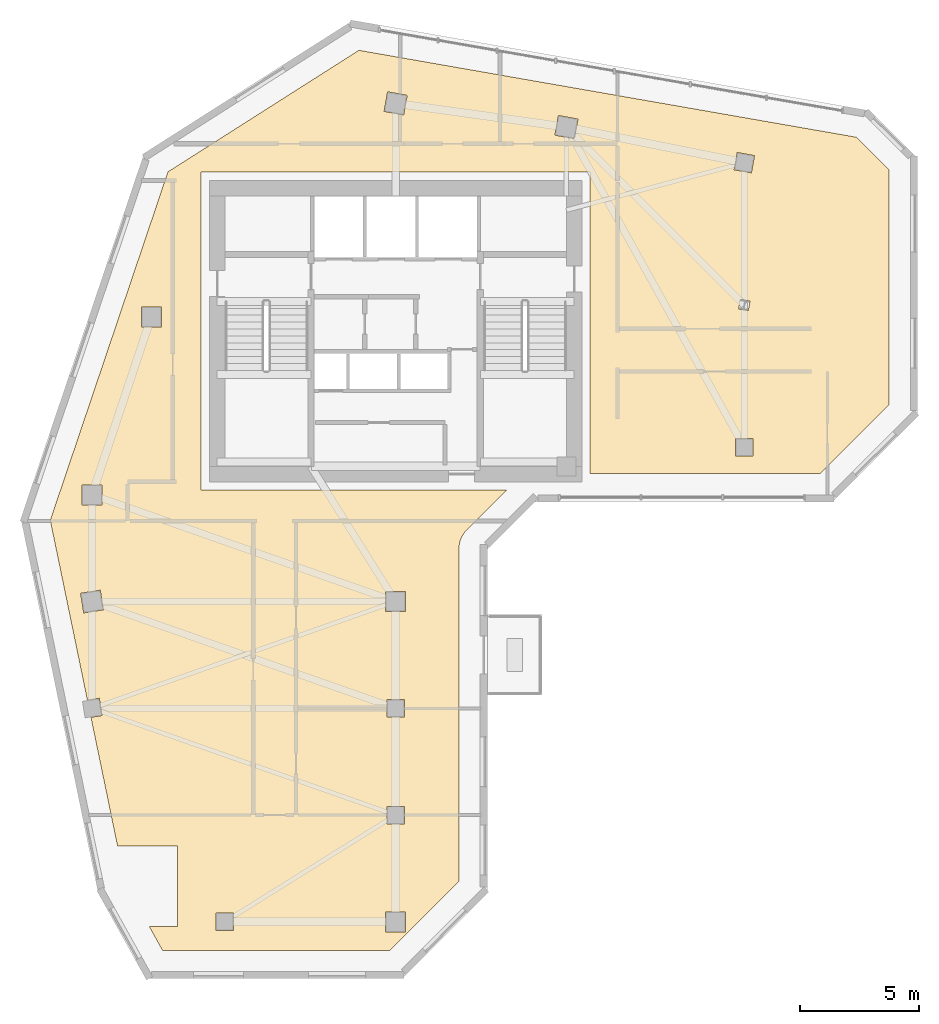
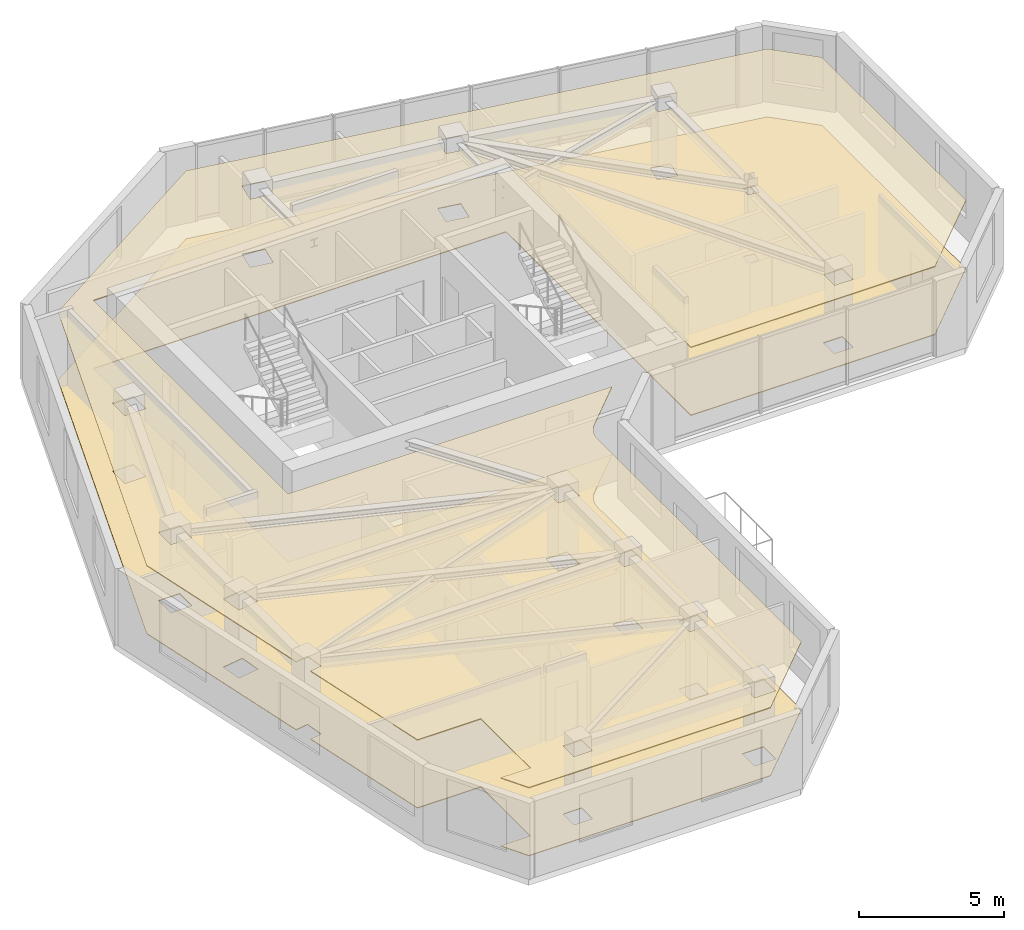
# One storey, part 8 of 9: 2 coverings.
"""IFC4 building model written with IfcOpenShell, lengths in metres."""

import ifcopenshell
import ifcopenshell.guid

model = None  # the IFC model being written
_history = None  # IfcOwnerHistory: only IFC2X3 demands one
_inside = {}  # id of a spatial element -> (the spatial element, [elements in it])
_under = {}  # id of a project, library or spatial element -> (it, [spatial elements below it])
_declared = {}  # id of a project -> (the project, [libraries it declares])
_typed = {}  # id of a type object -> (the type object, [elements of that type])
_made_of = {}  # id of a material, layer set ... -> (it, [elements and type objects made of it])


def new_model(schema):
    """Start an empty IFC model of exactly this schema.

    Asked for "IFC4X3", IfcOpenShell would pick the latest addendum, in which some entities
    have other attributes; the version numbers below select the first issue.
    IFC2X3 requires an IfcOwnerHistory on every rooted entity: one is made here for all.
    """
    global model, _history
    if schema == "IFC4X3":
        model = ifcopenshell.file(schema_version=(4, 3, 0, 0))
    else:
        model = ifcopenshell.file(schema=schema)
    _inside.clear()
    _under.clear()
    _declared.clear()
    _typed.clear()
    _made_of.clear()
    _history = None
    if model.schema == "IFC2X3":
        org = make("IfcOrganization", Name="unknown")
        user = make(
            "IfcPersonAndOrganization",
            ThePerson=make("IfcPerson", FamilyName="unknown"),
            TheOrganization=org,
        )
        app = make(
            "IfcApplication",
            ApplicationDeveloper=org,
            Version="unknown",
            ApplicationFullName="unknown",
            ApplicationIdentifier="unknown",
        )
        _history = make(
            "IfcOwnerHistory",
            OwningUser=user,
            OwningApplication=app,
            ChangeAction="ADDED",
            CreationDate=0,
        )
    return model


def make(cls, **values):
    """One entity of the class cls with the attributes given. An attribute that is None is left unset."""
    return model.create_entity(
        cls, **{name: value for name, value in values.items() if value is not None}
    )


def rooted(cls, **values):
    """An entity with a GlobalId (a new one), such as an element, a storey or a relation."""
    return make(cls, GlobalId=ifcopenshell.guid.new(), OwnerHistory=_history, **values)


def si_unit(unit_type, name, prefix=None):
    """IfcSIUnit, for example si_unit("LENGTHUNIT", "METRE", prefix="MILLI")."""
    return make("IfcSIUnit", UnitType=unit_type, Prefix=prefix, Name=name)


def assignment(units):
    """IfcUnitAssignment: the units of a project."""
    return None if units is None else make("IfcUnitAssignment", Units=units)


def point(xyz):
    """IfcCartesianPoint."""
    return None if xyz is None else make("IfcCartesianPoint", Coordinates=xyz)


def direction(xyz):
    """IfcDirection."""
    return None if xyz is None else make("IfcDirection", DirectionRatios=xyz)


def frame(location, z_axis=None, x_axis=None):
    """IfcAxis2Placement3D, a coordinate frame: its origin and axes. An axis left out is left unset."""
    return make(
        "IfcAxis2Placement3D",
        Location=point(location),
        Axis=direction(z_axis),
        RefDirection=direction(x_axis),
    )


def origin():
    """The frame at (0, 0, 0) with its axes left unset."""
    return frame((0.0, 0.0, 0.0))


def place(relative_to, where):
    """IfcLocalPlacement: puts the frame where relative to a parent placement (None: the world)."""
    return make(
        "IfcLocalPlacement", PlacementRelTo=relative_to, RelativePlacement=where
    )


def context(
    kind, dimensions, precision=None, world=None, true_north=None, identifier=None
):
    """IfcGeometricRepresentationContext, for example the 3D "Model" context."""
    return make(
        "IfcGeometricRepresentationContext",
        ContextIdentifier=identifier,
        ContextType=kind,
        CoordinateSpaceDimension=dimensions,
        Precision=precision,
        WorldCoordinateSystem=world,
        TrueNorth=true_north,
    )


def subcontext(parent, identifier, kind, view, scale=None):
    """IfcGeometricRepresentationSubContext, for example "Body" below "Model"."""
    return make(
        "IfcGeometricRepresentationSubContext",
        ContextIdentifier=identifier,
        ContextType=kind,
        ParentContext=parent,
        TargetScale=scale,
        TargetView=view,
    )


def project(units=None, contexts=None):
    """IfcProject with its units and contexts."""
    return rooted(
        "IfcProject",
        Name="project",
        RepresentationContexts=contexts,
        UnitsInContext=assignment(units),
    )


def spatial(cls, under=None, at=None, **own):
    """A site, building, storey or space (cls), placed at a placement, below another one or the project."""
    s = rooted(cls, ObjectPlacement=at, **own)
    if under is not None:
        _under.setdefault(under.id(), (under, []))[1].append(s)
    return s


def polyline(points):
    """IfcPolyline through the points."""
    return make("IfcPolyline", Points=[point(p) for p in points])


def outline(outer, holes=None, kind="AREA"):
    """IfcArbitraryClosedProfileDef: a profile drawn as a closed curve; with holes, ...WithVoids."""
    if holes is None:
        return make("IfcArbitraryClosedProfileDef", ProfileType=kind, OuterCurve=outer)
    return make(
        "IfcArbitraryProfileDefWithVoids",
        ProfileType=kind,
        OuterCurve=outer,
        InnerCurves=holes,
    )


def extrude(swept, where, along, depth):
    """IfcExtrudedAreaSolid: the profile swept, set in the frame where, extruded along a direction by depth."""
    return make(
        "IfcExtrudedAreaSolid",
        SweptArea=swept,
        Position=where,
        ExtrudedDirection=direction(along),
        Depth=depth,
    )


def shape(context_of_items, identifier, shape_type, items):
    """IfcShapeRepresentation: the items that make up one representation, for example the "Body"."""
    return make(
        "IfcShapeRepresentation",
        ContextOfItems=context_of_items,
        RepresentationIdentifier=identifier,
        RepresentationType=shape_type,
        Items=items,
    )


def material(Name=None, Category=None):
    """IfcMaterial."""
    return make("IfcMaterial", Name=Name, Category=Category)


def layer(
    of_material, thickness, ventilated=None, Name=None, Category=None, Priority=None
):
    """IfcMaterialLayer: one layer of a wall or slab, of a material (None: an air gap)."""
    return make(
        "IfcMaterialLayer",
        Material=of_material,
        LayerThickness=thickness,
        IsVentilated=ventilated,
        Name=Name,
        Category=Category,
        Priority=Priority,
    )


def layer_set(layers, Name=None):
    """IfcMaterialLayerSet."""
    return make("IfcMaterialLayerSet", MaterialLayers=layers, LayerSetName=Name)


def made_of(thing, what):
    """Note that an element or type object is made of a material, layer set ...; save() writes the relation."""
    if what is not None:
        _made_of.setdefault(what.id(), (what, []))[1].append(thing)
    return thing


def type_object(cls, material=None, **own):
    """A type object (cls), such as IfcWallType, which elements share."""
    return made_of(rooted(cls, **own), material)


def element(
    cls,
    number,
    at=None,
    inside=None,
    cuts=None,
    type_object=None,
    material=None,
    context=None,
    identifier="Body",
    shape_type=None,
    held_by="IfcProductDefinitionShape",
    body=None,
    shapes=None,
    **own,
):
    """One element of the class cls, such as IfcWall. Its Tag is "e" and its number.

    at: its placement. inside: the storey or other place that contains it. cuts: it is an
    opening in that element (IfcRelVoidsElement). A single representation is given by context,
    identifier, shape_type and body (its items); several are given by shapes. held_by: the class
    of the entity that holds the representations. save() writes the other relations.
    """
    e = rooted(cls, Tag="e%d" % number, ObjectPlacement=at, **own)
    if body is not None:
        shapes = [shape(context, identifier, shape_type, body)]
    if shapes is not None:
        e.Representation = make(held_by, Representations=shapes)
    if inside is not None:
        _inside.setdefault(inside.id(), (inside, []))[1].append(e)
    if cuts is not None:
        rooted(
            "IfcRelVoidsElement", RelatingBuildingElement=cuts, RelatedOpeningElement=e
        )
    if type_object is not None:
        _typed.setdefault(type_object.id(), (type_object, []))[1].append(e)
    return made_of(e, material)


def aggregate(whole, parts):
    """IfcRelAggregates: a whole, such as a stair, and the parts it consists of."""
    return rooted("IfcRelAggregates", RelatingObject=whole, RelatedObjects=parts)


def save(model, path):
    """Write the relations noted so far, then the file.

    IfcRelAggregates (storeys below a building ...), IfcRelContainedInSpatialStructure (elements
    in a storey), IfcRelDefinesByType, IfcRelAssociatesMaterial and IfcRelDeclares: one each for
    every whole, place, type object, material and project.
    """
    for whole, parts in _under.values():
        aggregate(whole, parts)
    for where, things in _inside.values():
        rooted(
            "IfcRelContainedInSpatialStructure",
            RelatedElements=things,
            RelatingStructure=where,
        )
    for kind, things in _typed.values():
        rooted("IfcRelDefinesByType", RelatedObjects=things, RelatingType=kind)
    for what, things in _made_of.values():
        rooted("IfcRelAssociatesMaterial", RelatedObjects=things, RelatingMaterial=what)
    for by, libraries in _declared.values():
        rooted("IfcRelDeclares", RelatingContext=by, RelatedDefinitions=libraries)
    model.write(path)


model = new_model("IFC4")

# Units and contexts
model_context = context("Model", 3, precision=1e-05, world=origin(), true_north=direction((0.0, 1.0)))
body_context = subcontext(model_context, "Body", "Model", "MODEL_VIEW")
ifc_project = project(units=[si_unit("LENGTHUNIT", "METRE"), si_unit("AREAUNIT", "SQUARE_METRE"), si_unit("VOLUMEUNIT", "CUBIC_METRE"), si_unit("PLANEANGLEUNIT", "RADIAN"), si_unit("MASSUNIT", "GRAM", prefix="KILO")], contexts=[model_context])

# Site, building, storey
site_placement = place(None, origin())
site = spatial("IfcSite", under=ifc_project, at=site_placement, CompositionType="ELEMENT")
building_placement = place(site_placement, origin())
building = spatial("IfcBuilding", under=site, at=building_placement, Name="Calvemar Wedge Station Tower", CompositionType="ELEMENT")
storey_placement = place(building_placement, frame((0.0, 0.0, 239.39990234375)))
storey = spatial("IfcBuildingStorey", under=building, at=storey_placement, Name="L61", CompositionType="ELEMENT", Elevation=239.39990234375)

# Coverings
ifc_material_1 = material(Name="Acoustic mineral fibre ceiling board")
ifc_layer_1 = layer(ifc_material_1, 0.0400390625)
ifc_layer_set_1 = layer_set([ifc_layer_1], Name="Acoustic mineral fibre ceiling board")
covering_type_1 = type_object("IfcCoveringType", Name="COV-CEIL-ACOUSTIC", PredefinedType="CEILING", material=ifc_layer_set_1)
covering_1_placement = place(storey_placement, frame((0.0, 0.0, 2.85009765625)))
element("IfcCovering", 1, at=covering_1_placement, inside=storey, type_object=covering_type_1, Name="Storey L61 Acoustic Suspended Ceiling", PredefinedType="CEILING", context=body_context, shape_type="SweptSolid", body=[
    extrude(outline(polyline([(26.666259765625, 31.358642578125), (26.736328125, 31.453369140625), (26.8154296875, 31.54052734375), (28.474853515625, 33.199951171875), (15.60009765625, 33.199951171875), (15.60009765625, 46.60009765625), (32.0, 46.60009765625), (32.0, 33.89208984375), (41.702880859375, 33.89208984375), (44.60009765625, 36.7890625), (44.60009765625, 46.69482421875), (43.2197265625, 48.0751953125), (22.251708984375, 51.73779296875), (14.201416015625, 46.614990234375), (9.240966796875, 31.92431640625), (10.806884765625, 24.34375), (11.306884765625, 24.423828125), (11.423828125, 23.693115234375), (10.956787109375, 23.618408203125), (12.076171875, 18.199951171875), (14.60009765625, 18.199951171875), (14.60009765625, 14.800048828125), (13.41455078125, 14.800048828125), (13.97021484375, 13.800048828125), (23.56689453125, 13.800048828125), (26.464111328125, 16.697021484375), (26.464111328125, 30.69189453125), (26.4697265625, 30.8095703125), (26.487060546875, 30.926025390625), (26.515625, 31.040283203125), (26.555419921875, 31.151123046875), (26.605712890625, 31.2578125), (26.666259765625, 31.358642578125)]), holes=[polyline([(11.419921875, 33.419921875), (11.419921875, 32.580078125), (10.580078125, 32.580078125), (10.580078125, 33.419921875), (11.419921875, 33.419921875)]), polyline([(13.919921875, 40.080078125), (13.080078125, 40.080078125), (13.080078125, 40.919921875), (13.919921875, 40.919921875), (13.919921875, 40.080078125)]), polyline([(23.312255859375, 49.160888671875), (23.4609375, 49.98779296875), (24.28759765625, 49.839111328125), (24.138916015625, 49.01220703125), (23.312255859375, 49.160888671875)]), polyline([(30.660888671875, 48.98779296875), (31.48779296875, 48.839111328125), (31.339111328125, 48.01220703125), (30.51220703125, 48.160888671875), (30.660888671875, 48.98779296875)]), polyline([(38.9296875, 47.298583984375), (38.798583984375, 46.5703125), (38.0703125, 46.701416015625), (38.201416015625, 47.4296875), (38.9296875, 47.298583984375)]), polyline([(38.8701171875, 34.6298828125), (38.1298828125, 34.6298828125), (38.1298828125, 35.3701171875), (38.8701171875, 35.3701171875), (38.8701171875, 34.6298828125)]), polyline([(38.259765625, 40.833984375), (38.332763671875, 41.239501953125), (38.740234375, 41.166015625), (38.667236328125, 40.760498046875), (38.259765625, 40.833984375)]), polyline([(11.348388671875, 28.981201171875), (11.481201171875, 28.151611328125), (10.651611328125, 28.018798828125), (10.518798828125, 28.848388671875), (11.348388671875, 28.981201171875)]), polyline([(24.219970703125, 28.080078125), (23.3798828125, 28.080078125), (23.3798828125, 28.919921875), (24.219970703125, 28.919921875), (24.219970703125, 28.080078125)]), polyline([(23.429931640625, 23.6298828125), (23.429931640625, 24.3701171875), (24.169921875, 24.3701171875), (24.169921875, 23.6298828125), (23.429931640625, 23.6298828125)]), polyline([(23.429931640625, 19.8701171875), (24.169921875, 19.8701171875), (24.169921875, 19.1298828125), (23.429931640625, 19.1298828125), (23.429931640625, 19.8701171875)]), polyline([(24.219970703125, 15.419921875), (24.219970703125, 14.580078125), (23.3798828125, 14.580078125), (23.3798828125, 15.419921875), (24.219970703125, 15.419921875)]), polyline([(16.969970703125, 14.6298828125), (16.22998046875, 14.6298828125), (16.22998046875, 15.3701171875), (16.969970703125, 15.3701171875), (16.969970703125, 14.6298828125)])]), origin(), (0.0, 0.0, 1.0), 0.0400390625),
])
ifc_material_2 = material(Name="Honed coastal granite stone tile", Category="masonry")
ifc_layer_2 = layer(ifc_material_2, 0.030029296875)
ifc_layer_set_2 = layer_set([ifc_layer_2], Name="Honed coastal granite stone tile")
covering_type_2 = type_object("IfcCoveringType", Name="COV-FLR-STONE", PredefinedType="FLOORING", material=ifc_layer_set_2)
covering_2_placement = place(storey_placement, origin())
element("IfcCovering", 2, at=covering_2_placement, inside=storey, type_object=covering_type_2, Name="Storey L61 Architectural Floor Finish", PredefinedType="FLOORING", context=body_context, shape_type="SweptSolid", body=[
    extrude(outline(polyline([(26.666259765625, 31.358642578125), (26.736328125, 31.453369140625), (26.8154296875, 31.54052734375), (28.474853515625, 33.199951171875), (15.60009765625, 33.199951171875), (15.60009765625, 46.60009765625), (32.0, 46.60009765625), (32.0, 33.89208984375), (41.702880859375, 33.89208984375), (44.60009765625, 36.7890625), (44.60009765625, 46.69482421875), (43.2197265625, 48.0751953125), (22.251708984375, 51.73779296875), (14.201416015625, 46.614990234375), (9.240966796875, 31.92431640625), (10.806884765625, 24.34375), (11.306884765625, 24.423828125), (11.423828125, 23.693115234375), (10.956787109375, 23.618408203125), (12.076171875, 18.199951171875), (14.60009765625, 18.199951171875), (14.60009765625, 14.800048828125), (13.41455078125, 14.800048828125), (13.97021484375, 13.800048828125), (23.56689453125, 13.800048828125), (26.464111328125, 16.697021484375), (26.464111328125, 30.69189453125), (26.4697265625, 30.8095703125), (26.487060546875, 30.926025390625), (26.515625, 31.040283203125), (26.555419921875, 31.151123046875), (26.605712890625, 31.2578125), (26.666259765625, 31.358642578125)]), holes=[polyline([(11.419921875, 33.419921875), (11.419921875, 32.580078125), (10.580078125, 32.580078125), (10.580078125, 33.419921875), (11.419921875, 33.419921875)]), polyline([(13.919921875, 40.080078125), (13.080078125, 40.080078125), (13.080078125, 40.919921875), (13.919921875, 40.919921875), (13.919921875, 40.080078125)]), polyline([(23.312255859375, 49.160888671875), (23.4609375, 49.98779296875), (24.28759765625, 49.839111328125), (24.138916015625, 49.01220703125), (23.312255859375, 49.160888671875)]), polyline([(30.660888671875, 48.98779296875), (31.48779296875, 48.839111328125), (31.339111328125, 48.01220703125), (30.51220703125, 48.160888671875), (30.660888671875, 48.98779296875)]), polyline([(38.9296875, 47.298583984375), (38.798583984375, 46.5703125), (38.0703125, 46.701416015625), (38.201416015625, 47.4296875), (38.9296875, 47.298583984375)]), polyline([(38.8701171875, 34.6298828125), (38.1298828125, 34.6298828125), (38.1298828125, 35.3701171875), (38.8701171875, 35.3701171875), (38.8701171875, 34.6298828125)]), polyline([(38.259765625, 40.833984375), (38.332763671875, 41.239501953125), (38.740234375, 41.166015625), (38.667236328125, 40.760498046875), (38.259765625, 40.833984375)]), polyline([(11.348388671875, 28.981201171875), (11.481201171875, 28.151611328125), (10.651611328125, 28.018798828125), (10.518798828125, 28.848388671875), (11.348388671875, 28.981201171875)]), polyline([(24.219970703125, 28.080078125), (23.3798828125, 28.080078125), (23.3798828125, 28.919921875), (24.219970703125, 28.919921875), (24.219970703125, 28.080078125)]), polyline([(23.429931640625, 23.6298828125), (23.429931640625, 24.3701171875), (24.169921875, 24.3701171875), (24.169921875, 23.6298828125), (23.429931640625, 23.6298828125)]), polyline([(23.429931640625, 19.8701171875), (24.169921875, 19.8701171875), (24.169921875, 19.1298828125), (23.429931640625, 19.1298828125), (23.429931640625, 19.8701171875)]), polyline([(24.219970703125, 15.419921875), (24.219970703125, 14.580078125), (23.3798828125, 14.580078125), (23.3798828125, 15.419921875), (24.219970703125, 15.419921875)]), polyline([(16.969970703125, 14.6298828125), (16.22998046875, 14.6298828125), (16.22998046875, 15.3701171875), (16.969970703125, 15.3701171875), (16.969970703125, 14.6298828125)])]), origin(), (0.0, 0.0, 1.0), 0.030029296875),
])

save(model, "model.ifc")
